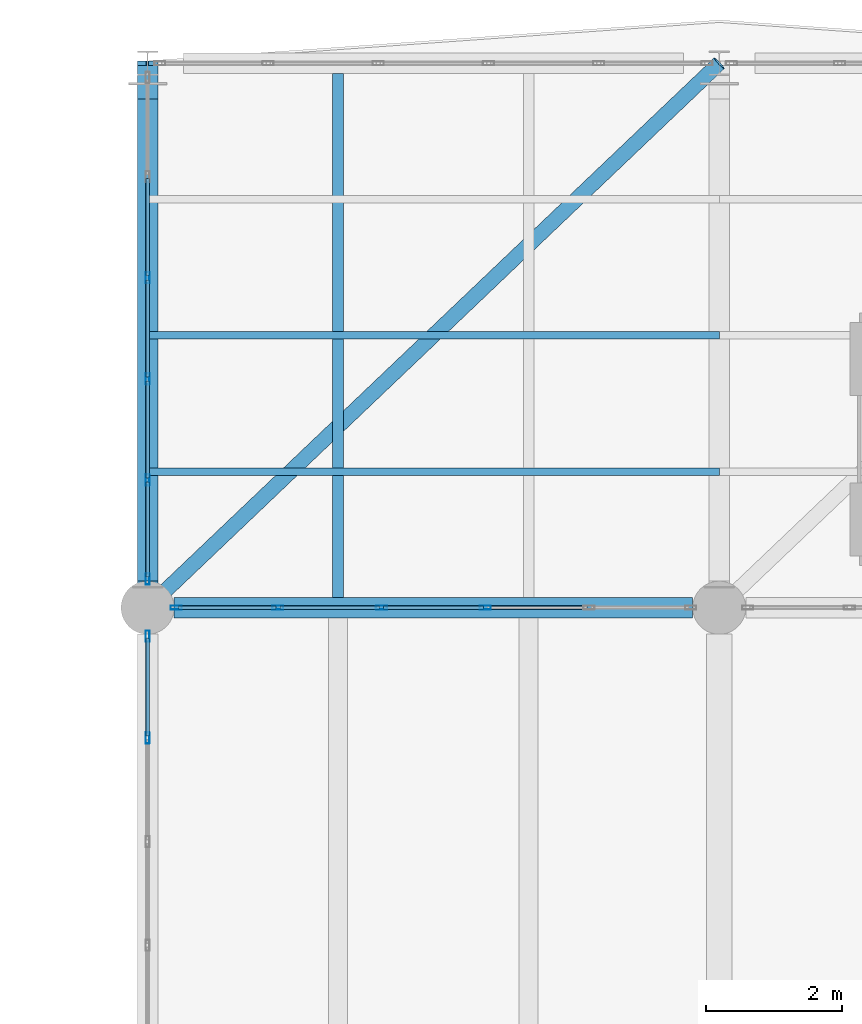
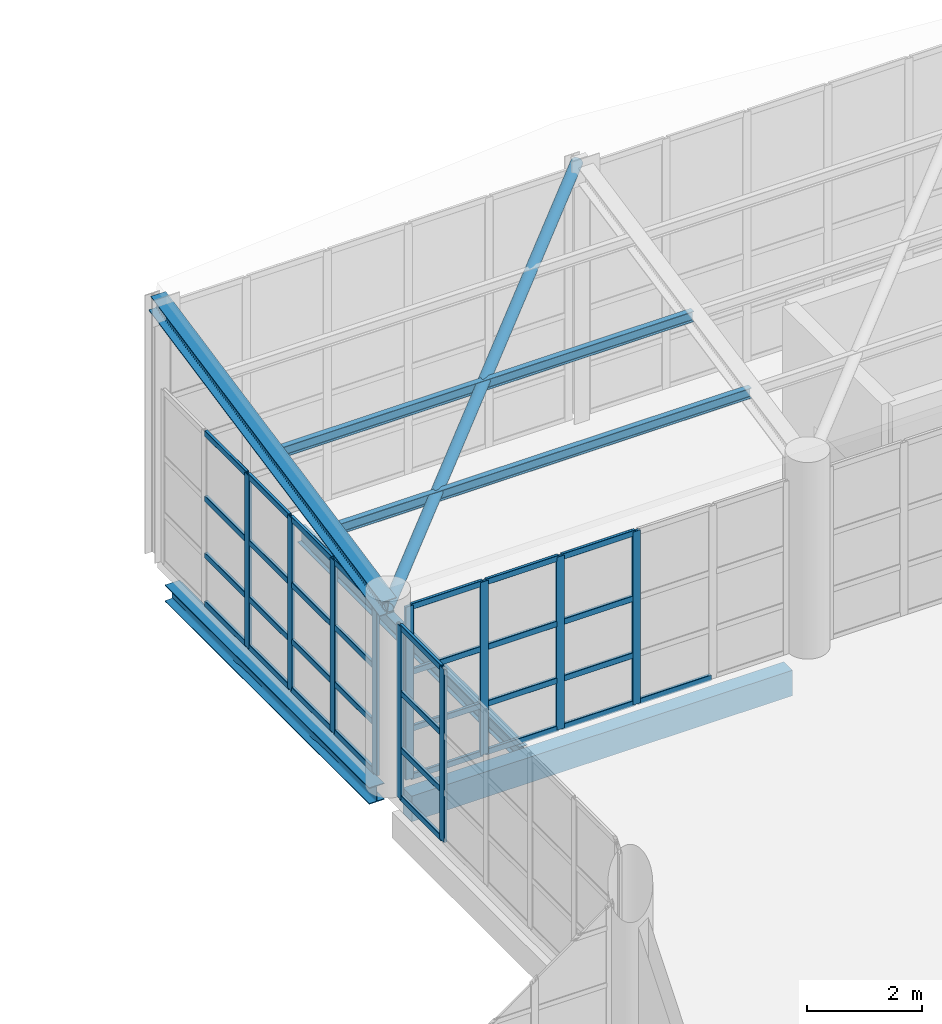
# One storey, part 81 of 177: 47 members, 3 beams, 3 elements without a shape of their own.
"""IFC4 building model written with IfcOpenShell, lengths in metres."""

from ifc_helpers import new_model, si_unit, direction, frame, origin, origin_2d, place, context, subcontext, project, spatial, rectangle, hollow_rectangle, hollow_circle, i_section, extrude, material, layer, layer_set, material_profile, profile_set, type_object, element, aggregate, save


model = new_model("IFC4")

# Units and contexts
model_context = context("Model", 3, precision=1e-05, world=origin(), true_north=direction((0.0, 1.0)))
body_context = subcontext(model_context, "Body", "Model", "MODEL_VIEW")
ifc_project = project(units=[si_unit("LENGTHUNIT", "METRE"), si_unit("AREAUNIT", "SQUARE_METRE"), si_unit("VOLUMEUNIT", "CUBIC_METRE"), si_unit("PLANEANGLEUNIT", "RADIAN"), si_unit("MASSUNIT", "GRAM", prefix="KILO"), si_unit("THERMODYNAMICTEMPERATUREUNIT", "KELVIN"), si_unit("POWERUNIT", "WATT")], contexts=[model_context])

# Site, building, storey
site_placement = place(None, origin())
site = spatial("IfcSite", under=ifc_project, at=site_placement, CompositionType="ELEMENT")
building_placement = place(site_placement, origin())
building = spatial("IfcBuilding", under=site, at=building_placement, Name="Mavoryth Pier Ferry Terminal", CompositionType="ELEMENT")
storey_placement = place(building_placement, frame((0.0, 0.0, 5.43994140625)))
storey = spatial("IfcBuildingStorey", under=building, at=storey_placement, Name="L01", CompositionType="ELEMENT", Elevation=5.43994140625)

# Member
ifc_material_1 = material(Name="Steel S355J2", Category="steel")
ifc_material_profile_1 = material_profile(ifc_material_1, hollow_circle(Radius=0.109619140625, WallThickness=0.010009765625, at=origin_2d()), Name="CHS 219.1x10.0", Category="steel")
ifc_profile_set_1 = profile_set([ifc_material_profile_1], Name="Steel S355J2 - CHS 219.1x10.0")
member_type_1 = type_object("IfcMemberType", Name="Brace-Diag-CHS219", PredefinedType="BRACE", material=ifc_profile_set_1)
member_1_placement = place(storey_placement, frame((50.39990234375, 106.0, 3.771240234375), z_axis=(0.717118778547, 0.682958355435, 0.138955180532), x_axis=(-0.689648865971, 0.724143937118, 0.0)))
element("IfcMember", 1, at=member_1_placement, inside=storey, type_object=member_type_1, Name="Steel Member MB-L01-0253", PredefinedType="BRACE", context=body_context, shape_type="SweptSolid", body=[
    extrude(hollow_circle(Radius=0.109619140625, WallThickness=0.010009765625, at=origin_2d()), origin(), (0.0, 0.0, 1.0), 11.713623046875),
])

# Beam
ifc_material_profile_2 = material_profile(ifc_material_1, i_section(OverallWidth=0.159912109375, OverallDepth=0.330078125, WebThickness=0.007568359375, FlangeThickness=0.011474609375, FilletRadius=0.01806640625, at=origin_2d()), Name="IPE 330", Category="steel")
ifc_profile_set_2 = profile_set([ifc_material_profile_2], Name="Steel S355J2 - IPE 330")
beam_type_1 = type_object("IfcBeamType", Name="Joist-Steel-IPE330", PredefinedType="JOIST", material=ifc_profile_set_2)
beam_1_placement = place(storey_placement, frame((53.199951171875, 106.14990234375, -0.405029296875), z_axis=(0.0, 1.0, 0.0), x_axis=(-1.0, 0.0, 0.0)))
element("IfcBeam", 2, at=beam_1_placement, inside=storey, type_object=beam_type_1, Name="Beam B01-SJ03-0291", PredefinedType="JOIST", context=body_context, shape_type="SweptSolid", body=[
    extrude(i_section(OverallWidth=0.159912109375, OverallDepth=0.330078125, WebThickness=0.007568359375, FlangeThickness=0.011474609375, FilletRadius=0.01806640625, at=origin_2d()), origin(), (0.0, 0.0, 1.0), 7.7001953125),
])

# Curtain wall, members
ifc_material_2 = material(Name="Anodised Aluminium and Solar-Control Low-E Glass", Category="aluminium")
ifc_layer_1 = layer(ifc_material_2, 0.159912109375, Name="Anodised Aluminium and Solar-Control Low-E Glass", Category="aluminium")
ifc_layer_set_1 = layer_set([ifc_layer_1], Name="Anodised Aluminium and Solar-Control Low-E Glass - CW-Arrivals-Mod1400")
curtain_wall_type_1 = type_object("IfcCurtainWallType", Name="CW-Arrivals-Mod1400", PredefinedType="USERDEFINED", material=ifc_layer_set_1)
curtain_wall_1_placement = place(storey_placement, origin())
curtain_wall_1 = element("IfcCurtainWall", 3, at=curtain_wall_1_placement, inside=storey, type_object=curtain_wall_type_1, Name="Curtain Wall CW-0122-050", ObjectType="UNITISED CURTAIN WALL", PredefinedType="USERDEFINED")
ifc_material_3 = material(Name="Anodised Aluminium EN AW-6063", Category="aluminium")
ifc_material_profile_3 = material_profile(ifc_material_3, hollow_rectangle(XDim=0.06005859375, YDim=0.1650390625, WallThickness=0.00390625, InnerFilletRadius=0.00390625, OuterFilletRadius=0.008056640625, at=origin_2d()), Name="AL-MULL 165x60x4", Category="aluminium")
ifc_profile_set_3 = profile_set([ifc_material_profile_3], Name="Anodised Aluminium EN AW-6063 - AL-MULL 165x60x4")
member_type_2 = type_object("IfcMemberType", Name="Mullion-Alum-165x60", PredefinedType="MULLION", material=ifc_profile_set_3)
member_2_placement = place(storey_placement, frame((55.362060546875, 106.0, 0.0), z_axis=(0.0, 0.0, 1.0), x_axis=(0.0, -1.0, 0.0)))
member_2 = element("IfcMember", 4, at=member_2_placement, type_object=member_type_2, Name="CW04 mullion 3", PredefinedType="MULLION", context=body_context, shape_type="SweptSolid", body=[
    extrude(hollow_rectangle(XDim=0.06005859375, YDim=0.1650390625, WallThickness=0.00390625, InnerFilletRadius=0.00390625, OuterFilletRadius=0.008056640625, at=origin_2d()), origin(), (0.0, 0.0, 1.0), 3.66015625),
])
member_3_placement = place(storey_placement, frame((53.837890625, 106.0, 0.0), z_axis=(0.0, 0.0, 1.0), x_axis=(0.0, -1.0, 0.0)))
member_3 = element("IfcMember", 5, at=member_3_placement, type_object=member_type_2, Name="CW04 mullion 4", PredefinedType="MULLION", context=body_context, shape_type="SweptSolid", body=[
    extrude(hollow_rectangle(XDim=0.06005859375, YDim=0.1650390625, WallThickness=0.00390625, InnerFilletRadius=0.00390625, OuterFilletRadius=0.008056640625, at=origin_2d()), origin(), (0.0, 0.0, 1.0), 3.66015625),
])
member_4_placement = place(storey_placement, frame((52.31396484375, 106.0, 0.0), z_axis=(0.0, 0.0, 1.0), x_axis=(0.0, -1.0, 0.0)))
member_4 = element("IfcMember", 6, at=member_4_placement, type_object=member_type_2, Name="CW04 mullion 5", PredefinedType="MULLION", context=body_context, shape_type="SweptSolid", body=[
    extrude(hollow_rectangle(XDim=0.06005859375, YDim=0.1650390625, WallThickness=0.00390625, InnerFilletRadius=0.00390625, OuterFilletRadius=0.008056640625, at=origin_2d()), origin(), (0.0, 0.0, 1.0), 3.66015625),
])
member_5_placement = place(storey_placement, frame((50.820068359375, 106.0, 0.0), z_axis=(0.0, 0.0, 1.0), x_axis=(0.0, -1.0, 0.0)))
member_5 = element("IfcMember", 7, at=member_5_placement, type_object=member_type_2, Name="CW04 mullion 6", PredefinedType="MULLION", context=body_context, shape_type="SweptSolid", body=[
    extrude(hollow_rectangle(XDim=0.06005859375, YDim=0.1650390625, WallThickness=0.00390625, InnerFilletRadius=0.00390625, OuterFilletRadius=0.008056640625, at=origin_2d()), origin(), (0.0, 0.0, 1.0), 3.66015625),
])

curtain_wall_2_placement = place(storey_placement, origin())
curtain_wall_2 = element("IfcCurtainWall", 8, at=curtain_wall_2_placement, inside=storey, type_object=curtain_wall_type_1, Name="Curtain Wall CW-0122-069", ObjectType="UNITISED CURTAIN WALL", PredefinedType="USERDEFINED")
member_6_placement = place(storey_placement, frame((50.39990234375, 105.580078125, 0.0), z_axis=(0.0, 0.0, 1.0), x_axis=(1.0, 0.0, 0.0)))
member_6 = element("IfcMember", 9, at=member_6_placement, type_object=member_type_2, Name="CW04 mullion 1", PredefinedType="MULLION", context=body_context, shape_type="SweptSolid", body=[
    extrude(hollow_rectangle(XDim=0.06005859375, YDim=0.1650390625, WallThickness=0.00390625, InnerFilletRadius=0.00390625, OuterFilletRadius=0.008056640625, at=origin_2d()), origin(), (0.0, 0.0, 1.0), 3.66015625),
])
member_7_placement = place(storey_placement, frame((50.39990234375, 104.0859375, 0.0), z_axis=(0.0, 0.0, 1.0), x_axis=(1.0, 0.0, 0.0)))
member_7 = element("IfcMember", 10, at=member_7_placement, type_object=member_type_2, Name="CW04 mullion 2", PredefinedType="MULLION", context=body_context, shape_type="SweptSolid", body=[
    extrude(hollow_rectangle(XDim=0.06005859375, YDim=0.1650390625, WallThickness=0.00390625, InnerFilletRadius=0.00390625, OuterFilletRadius=0.008056640625, at=origin_2d()), origin(), (0.0, 0.0, 1.0), 3.66015625),
])

ifc_layer_2 = layer(ifc_material_2, 0.139892578125, Name="Anodised Aluminium and Solar-Control Low-E Glass", Category="aluminium")
ifc_layer_set_2 = layer_set([ifc_layer_2], Name="Anodised Aluminium and Solar-Control Low-E Glass - CW-Gallery-Mod1600")
curtain_wall_type_2 = type_object("IfcCurtainWallType", Name="CW-Gallery-Mod1600", PredefinedType="USERDEFINED", material=ifc_layer_set_2)
curtain_wall_3_placement = place(storey_placement, origin())
curtain_wall_3 = element("IfcCurtainWall", 11, at=curtain_wall_3_placement, inside=storey, type_object=curtain_wall_type_2, Name="Curtain Wall CW-0122-096", ObjectType="UNITISED CURTAIN WALL", PredefinedType="USERDEFINED")
member_8_placement = place(storey_placement, frame((50.39990234375, 110.847900390625, 0.0), z_axis=(0.0, 0.0, 1.0), x_axis=(1.0, 0.0, 0.0)))
member_8 = element("IfcMember", 12, at=member_8_placement, type_object=member_type_2, Name="CW05 mullion 3", PredefinedType="MULLION", context=body_context, shape_type="SweptSolid", body=[
    extrude(hollow_rectangle(XDim=0.06005859375, YDim=0.1650390625, WallThickness=0.00390625, InnerFilletRadius=0.00390625, OuterFilletRadius=0.008056640625, at=origin_2d()), origin(), (0.0, 0.0, 1.0), 3.66015625),
])
member_9_placement = place(storey_placement, frame((50.39990234375, 109.362060546875, 0.0), z_axis=(0.0, 0.0, 1.0), x_axis=(1.0, 0.0, 0.0)))
member_9 = element("IfcMember", 13, at=member_9_placement, type_object=member_type_2, Name="CW05 mullion 4", PredefinedType="MULLION", context=body_context, shape_type="SweptSolid", body=[
    extrude(hollow_rectangle(XDim=0.06005859375, YDim=0.1650390625, WallThickness=0.00390625, InnerFilletRadius=0.00390625, OuterFilletRadius=0.008056640625, at=origin_2d()), origin(), (0.0, 0.0, 1.0), 3.66015625),
])
member_10_placement = place(storey_placement, frame((50.39990234375, 107.8759765625, 0.0), z_axis=(0.0, 0.0, 1.0), x_axis=(1.0, 0.0, 0.0)))
member_10 = element("IfcMember", 14, at=member_10_placement, type_object=member_type_2, Name="CW05 mullion 5", PredefinedType="MULLION", context=body_context, shape_type="SweptSolid", body=[
    extrude(hollow_rectangle(XDim=0.06005859375, YDim=0.1650390625, WallThickness=0.00390625, InnerFilletRadius=0.00390625, OuterFilletRadius=0.008056640625, at=origin_2d()), origin(), (0.0, 0.0, 1.0), 3.66015625),
])
member_11_placement = place(storey_placement, frame((50.39990234375, 106.419921875, 0.0), z_axis=(0.0, 0.0, 1.0), x_axis=(1.0, 0.0, 0.0)))
member_11 = element("IfcMember", 15, at=member_11_placement, type_object=member_type_2, Name="CW05 mullion 6", PredefinedType="MULLION", context=body_context, shape_type="SweptSolid", body=[
    extrude(hollow_rectangle(XDim=0.06005859375, YDim=0.1650390625, WallThickness=0.00390625, InnerFilletRadius=0.00390625, OuterFilletRadius=0.008056640625, at=origin_2d()), origin(), (0.0, 0.0, 1.0), 3.66015625),
])

# Members
ifc_material_profile_4 = material_profile(ifc_material_1, i_section(OverallWidth=0.110107421875, OverallDepth=0.219970703125, WebThickness=0.005859375, FlangeThickness=0.00927734375, FilletRadius=0.011962890625, at=origin_2d()), Name="IPE 220", Category="steel")
ifc_profile_set_4 = profile_set([ifc_material_profile_4], Name="Steel S355J2 - IPE 220")
member_type_3 = type_object("IfcMemberType", Name="Purlin-Roof-IPE220", PredefinedType="PURLIN", material=ifc_profile_set_4)
for number, where, z_axis, x_axis, name in (
    (16, (50.39990234375, 108.0, 4.17822265625), (1.0, 0.0, 0.0), (0.0, 1.0, 0.0), "Steel Member MB-L01-0250"),
    (17, (50.39990234375, 110.0, 4.5849609375), (1.0, 0.0, 0.0), (0.0, 1.0, 0.0), "Steel Member MB-L01-0251"),
):
    element("IfcMember", number, at=place(storey_placement, frame(where, z_axis=z_axis, x_axis=x_axis)), inside=storey, type_object=member_type_3, Name=name, PredefinedType="PURLIN", context=body_context, shape_type="SweptSolid", body=[
        extrude(i_section(OverallWidth=0.110107421875, OverallDepth=0.219970703125, WebThickness=0.005859375, FlangeThickness=0.00927734375, FilletRadius=0.011962890625, at=origin_2d()), origin(), (0.0, 0.0, 1.0), 8.400146484375),
    ])
ifc_material_profile_5 = material_profile(ifc_material_1, i_section(OverallWidth=0.300048828125, OverallDepth=0.35009765625, WebThickness=0.010009765625, FlangeThickness=0.017578125, FilletRadius=0.027099609375, at=origin_2d()), Name="HEA 360", Category="steel")
ifc_profile_set_5 = profile_set([ifc_material_profile_5], Name="Steel S355J2 - HEA 360")
member_type_4 = type_object("IfcMemberType", Name="Rafter-Gallery-HEA360", PredefinedType="RAFTER", material=ifc_profile_set_5)
member_12_placement = place(storey_placement, frame((50.39990234375, 106.0, 3.771240234375), z_axis=(0.0, 0.979923097627, 0.199375832882), x_axis=(-1.0, 0.0, 0.0)))
element("IfcMember", 18, at=member_12_placement, inside=storey, type_object=member_type_4, Name="Steel Member MB-L01-0237", PredefinedType="RAFTER", context=body_context, shape_type="SweptSolid", body=[
    extrude(i_section(OverallWidth=0.300048828125, OverallDepth=0.35009765625, WebThickness=0.010009765625, FlangeThickness=0.017578125, FilletRadius=0.027099609375, at=origin_2d()), origin(), (0.0, 0.0, 1.0), 8.163818359375),
])

# Beams
ifc_material_4 = material(Name="Concrete C35/45", Category="concrete")
ifc_material_profile_6 = material_profile(ifc_material_4, rectangle(XDim=0.300048828125, YDim=0.5400390625, at=origin_2d()), Name="RC 300x540", Category="concrete")
ifc_profile_set_6 = profile_set([ifc_material_profile_6], Name="Concrete C35/45 - RC 300x540")
beam_type_2 = type_object("IfcBeamType", Name="Spandrel-RC-300x540", PredefinedType="SPANDREL", material=ifc_profile_set_6)
beam_2_placement = place(storey_placement, frame((50.7900390625, 106.0, -0.550048828125), z_axis=(1.0, 0.0, 0.0), x_axis=(0.0, 1.0, 0.0)))
element("IfcBeam", 19, at=beam_2_placement, inside=storey, type_object=beam_type_2, Name="Beam B01-SP02-0199", PredefinedType="SPANDREL", context=body_context, shape_type="SweptSolid", body=[
    extrude(rectangle(XDim=0.300048828125, YDim=0.5400390625, at=origin_2d()), origin(), (0.0, 0.0, 1.0), 7.619873046875),
])
ifc_material_profile_7 = material_profile(ifc_material_1, i_section(OverallWidth=0.300048828125, OverallDepth=0.35009765625, WebThickness=0.010009765625, FlangeThickness=0.017578125, FilletRadius=0.027099609375, at=origin_2d()), Name="HEA 360", Category="steel")
ifc_profile_set_7 = profile_set([ifc_material_profile_7], Name="Steel S355J2 - HEA 360")
beam_type_3 = type_object("IfcBeamType", Name="Spandrel-Steel-HEA360", PredefinedType="SPANDREL", material=ifc_profile_set_7)
beam_3_placement = place(storey_placement, frame((50.39990234375, 106.389892578125, -0.4150390625), z_axis=(0.0, 1.0, 0.0), x_axis=(-1.0, 0.0, 0.0)))
element("IfcBeam", 20, at=beam_3_placement, inside=storey, type_object=beam_type_3, Name="Beam B01-SP03-0278", PredefinedType="SPANDREL", context=body_context, shape_type="SweptSolid", body=[
    extrude(i_section(OverallWidth=0.300048828125, OverallDepth=0.35009765625, WebThickness=0.010009765625, FlangeThickness=0.017578125, FilletRadius=0.027099609375, at=origin_2d()), origin(), (0.0, 0.0, 1.0), 7.085205078125),
])

# Member
ifc_material_profile_8 = material_profile(ifc_material_3, hollow_rectangle(XDim=0.06005859375, YDim=0.125, WallThickness=0.00390625, InnerFilletRadius=0.00390625, OuterFilletRadius=0.008056640625, at=origin_2d()), Name="AL-TRAN 125x60x4", Category="aluminium")
ifc_profile_set_8 = profile_set([ifc_material_profile_8], Name="Anodised Aluminium EN AW-6063 - AL-TRAN 125x60x4")
member_type_5 = type_object("IfcMemberType", Name="Transom-Alum-125x60", PredefinedType="USERDEFINED", material=ifc_profile_set_8)
member_13_placement = place(storey_placement, frame((56.85595703125, 106.0, 0.030029296875), z_axis=(-1.0, 0.0, 0.0), x_axis=(0.0, -1.0, 0.0)))
member_13 = element("IfcMember", 21, at=member_13_placement, type_object=member_type_5, Name="CW04 transom 2.1", ObjectType="TRANSOM", PredefinedType="USERDEFINED", context=body_context, shape_type="SweptSolid", body=[
    extrude(hollow_rectangle(XDim=0.06005859375, YDim=0.125, WallThickness=0.00390625, InnerFilletRadius=0.00390625, OuterFilletRadius=0.008056640625, at=origin_2d()), origin(), (0.0, 0.0, 1.0), 1.4638671875),
])

member_14_placement = place(storey_placement, frame((55.33203125, 106.0, 0.030029296875), z_axis=(-1.0, 0.0, 0.0), x_axis=(0.0, -1.0, 0.0)))
member_14 = element("IfcMember", 22, at=member_14_placement, type_object=member_type_5, Name="CW04 transom 3.1", ObjectType="TRANSOM", PredefinedType="USERDEFINED", context=body_context, shape_type="SweptSolid", body=[
    extrude(hollow_rectangle(XDim=0.06005859375, YDim=0.125, WallThickness=0.00390625, InnerFilletRadius=0.00390625, OuterFilletRadius=0.008056640625, at=origin_2d()), origin(), (0.0, 0.0, 1.0), 1.464111328125),
])

member_15_placement = place(storey_placement, frame((55.33203125, 106.0, 1.050048828125), z_axis=(-1.0, 0.0, 0.0), x_axis=(0.0, -1.0, 0.0)))
member_15 = element("IfcMember", 23, at=member_15_placement, type_object=member_type_5, Name="CW04 transom 3.2", ObjectType="TRANSOM", PredefinedType="USERDEFINED", context=body_context, shape_type="SweptSolid", body=[
    extrude(hollow_rectangle(XDim=0.06005859375, YDim=0.125, WallThickness=0.00390625, InnerFilletRadius=0.00390625, OuterFilletRadius=0.008056640625, at=origin_2d()), origin(), (0.0, 0.0, 1.0), 1.464111328125),
])

member_16_placement = place(storey_placement, frame((55.33203125, 106.0, 2.25), z_axis=(-1.0, 0.0, 0.0), x_axis=(0.0, -1.0, 0.0)))
member_16 = element("IfcMember", 24, at=member_16_placement, type_object=member_type_5, Name="CW04 transom 3.3", ObjectType="TRANSOM", PredefinedType="USERDEFINED", context=body_context, shape_type="SweptSolid", body=[
    extrude(hollow_rectangle(XDim=0.06005859375, YDim=0.125, WallThickness=0.00390625, InnerFilletRadius=0.00390625, OuterFilletRadius=0.008056640625, at=origin_2d()), origin(), (0.0, 0.0, 1.0), 1.464111328125),
])

member_17_placement = place(storey_placement, frame((55.33203125, 106.0, 3.630126953125), z_axis=(-1.0, 0.0, 0.0), x_axis=(0.0, -1.0, 0.0)))
member_17 = element("IfcMember", 25, at=member_17_placement, type_object=member_type_5, Name="CW04 transom 3.4", ObjectType="TRANSOM", PredefinedType="USERDEFINED", context=body_context, shape_type="SweptSolid", body=[
    extrude(hollow_rectangle(XDim=0.06005859375, YDim=0.125, WallThickness=0.00390625, InnerFilletRadius=0.00390625, OuterFilletRadius=0.008056640625, at=origin_2d()), origin(), (0.0, 0.0, 1.0), 1.464111328125),
])

member_18_placement = place(storey_placement, frame((53.80810546875, 106.0, 0.030029296875), z_axis=(-1.0, 0.0, 0.0), x_axis=(0.0, -1.0, 0.0)))
member_18 = element("IfcMember", 26, at=member_18_placement, type_object=member_type_5, Name="CW04 transom 4.1", ObjectType="TRANSOM", PredefinedType="USERDEFINED", context=body_context, shape_type="SweptSolid", body=[
    extrude(hollow_rectangle(XDim=0.06005859375, YDim=0.125, WallThickness=0.00390625, InnerFilletRadius=0.00390625, OuterFilletRadius=0.008056640625, at=origin_2d()), origin(), (0.0, 0.0, 1.0), 1.464111328125),
])

member_19_placement = place(storey_placement, frame((53.80810546875, 106.0, 1.050048828125), z_axis=(-1.0, 0.0, 0.0), x_axis=(0.0, -1.0, 0.0)))
member_19 = element("IfcMember", 27, at=member_19_placement, type_object=member_type_5, Name="CW04 transom 4.2", ObjectType="TRANSOM", PredefinedType="USERDEFINED", context=body_context, shape_type="SweptSolid", body=[
    extrude(hollow_rectangle(XDim=0.06005859375, YDim=0.125, WallThickness=0.00390625, InnerFilletRadius=0.00390625, OuterFilletRadius=0.008056640625, at=origin_2d()), origin(), (0.0, 0.0, 1.0), 1.464111328125),
])

member_20_placement = place(storey_placement, frame((53.80810546875, 106.0, 2.25), z_axis=(-1.0, 0.0, 0.0), x_axis=(0.0, -1.0, 0.0)))
member_20 = element("IfcMember", 28, at=member_20_placement, type_object=member_type_5, Name="CW04 transom 4.3", ObjectType="TRANSOM", PredefinedType="USERDEFINED", context=body_context, shape_type="SweptSolid", body=[
    extrude(hollow_rectangle(XDim=0.06005859375, YDim=0.125, WallThickness=0.00390625, InnerFilletRadius=0.00390625, OuterFilletRadius=0.008056640625, at=origin_2d()), origin(), (0.0, 0.0, 1.0), 1.464111328125),
])

member_21_placement = place(storey_placement, frame((53.80810546875, 106.0, 3.630126953125), z_axis=(-1.0, 0.0, 0.0), x_axis=(0.0, -1.0, 0.0)))
member_21 = element("IfcMember", 29, at=member_21_placement, type_object=member_type_5, Name="CW04 transom 4.4", ObjectType="TRANSOM", PredefinedType="USERDEFINED", context=body_context, shape_type="SweptSolid", body=[
    extrude(hollow_rectangle(XDim=0.06005859375, YDim=0.125, WallThickness=0.00390625, InnerFilletRadius=0.00390625, OuterFilletRadius=0.008056640625, at=origin_2d()), origin(), (0.0, 0.0, 1.0), 1.464111328125),
])

member_22_placement = place(storey_placement, frame((52.283935546875, 106.0, 0.030029296875), z_axis=(-1.0, 0.0, 0.0), x_axis=(0.0, -1.0, 0.0)))
member_22 = element("IfcMember", 30, at=member_22_placement, type_object=member_type_5, Name="CW04 transom 5.1", ObjectType="TRANSOM", PredefinedType="USERDEFINED", context=body_context, shape_type="SweptSolid", body=[
    extrude(hollow_rectangle(XDim=0.06005859375, YDim=0.125, WallThickness=0.00390625, InnerFilletRadius=0.00390625, OuterFilletRadius=0.008056640625, at=origin_2d()), origin(), (0.0, 0.0, 1.0), 1.433837890625),
])

member_23_placement = place(storey_placement, frame((52.283935546875, 106.0, 1.050048828125), z_axis=(-1.0, 0.0, 0.0), x_axis=(0.0, -1.0, 0.0)))
member_23 = element("IfcMember", 31, at=member_23_placement, type_object=member_type_5, Name="CW04 transom 5.2", ObjectType="TRANSOM", PredefinedType="USERDEFINED", context=body_context, shape_type="SweptSolid", body=[
    extrude(hollow_rectangle(XDim=0.06005859375, YDim=0.125, WallThickness=0.00390625, InnerFilletRadius=0.00390625, OuterFilletRadius=0.008056640625, at=origin_2d()), origin(), (0.0, 0.0, 1.0), 1.433837890625),
])

member_24_placement = place(storey_placement, frame((52.283935546875, 106.0, 2.25), z_axis=(-1.0, 0.0, 0.0), x_axis=(0.0, -1.0, 0.0)))
member_24 = element("IfcMember", 32, at=member_24_placement, type_object=member_type_5, Name="CW04 transom 5.3", ObjectType="TRANSOM", PredefinedType="USERDEFINED", context=body_context, shape_type="SweptSolid", body=[
    extrude(hollow_rectangle(XDim=0.06005859375, YDim=0.125, WallThickness=0.00390625, InnerFilletRadius=0.00390625, OuterFilletRadius=0.008056640625, at=origin_2d()), origin(), (0.0, 0.0, 1.0), 1.433837890625),
])

member_25_placement = place(storey_placement, frame((52.283935546875, 106.0, 3.630126953125), z_axis=(-1.0, 0.0, 0.0), x_axis=(0.0, -1.0, 0.0)))
member_25 = element("IfcMember", 33, at=member_25_placement, type_object=member_type_5, Name="CW04 transom 5.4", ObjectType="TRANSOM", PredefinedType="USERDEFINED", context=body_context, shape_type="SweptSolid", body=[
    extrude(hollow_rectangle(XDim=0.06005859375, YDim=0.125, WallThickness=0.00390625, InnerFilletRadius=0.00390625, OuterFilletRadius=0.008056640625, at=origin_2d()), origin(), (0.0, 0.0, 1.0), 1.433837890625),
])

aggregate(curtain_wall_1, [member_2, member_3, member_4, member_5, member_13, member_14, member_15, member_16, member_17, member_18, member_19, member_20, member_21, member_22, member_23, member_24, member_25])

member_26_placement = place(storey_placement, frame((50.39990234375, 105.550048828125, 0.030029296875), z_axis=(0.0, -1.0, 0.0), x_axis=(1.0, 0.0, 0.0)))
member_26 = element("IfcMember", 34, at=member_26_placement, type_object=member_type_5, Name="CW04 transom 1.1", ObjectType="TRANSOM", PredefinedType="USERDEFINED", context=body_context, shape_type="SweptSolid", body=[
    extrude(hollow_rectangle(XDim=0.06005859375, YDim=0.125, WallThickness=0.00390625, InnerFilletRadius=0.00390625, OuterFilletRadius=0.008056640625, at=origin_2d()), origin(), (0.0, 0.0, 1.0), 1.43408203125),
])

member_27_placement = place(storey_placement, frame((50.39990234375, 105.550048828125, 1.050048828125), z_axis=(0.0, -1.0, 0.0), x_axis=(1.0, 0.0, 0.0)))
member_27 = element("IfcMember", 35, at=member_27_placement, type_object=member_type_5, Name="CW04 transom 1.2", ObjectType="TRANSOM", PredefinedType="USERDEFINED", context=body_context, shape_type="SweptSolid", body=[
    extrude(hollow_rectangle(XDim=0.06005859375, YDim=0.125, WallThickness=0.00390625, InnerFilletRadius=0.00390625, OuterFilletRadius=0.008056640625, at=origin_2d()), origin(), (0.0, 0.0, 1.0), 1.43408203125),
])

member_28_placement = place(storey_placement, frame((50.39990234375, 105.550048828125, 2.25), z_axis=(0.0, -1.0, 0.0), x_axis=(1.0, 0.0, 0.0)))
member_28 = element("IfcMember", 36, at=member_28_placement, type_object=member_type_5, Name="CW04 transom 1.3", ObjectType="TRANSOM", PredefinedType="USERDEFINED", context=body_context, shape_type="SweptSolid", body=[
    extrude(hollow_rectangle(XDim=0.06005859375, YDim=0.125, WallThickness=0.00390625, InnerFilletRadius=0.00390625, OuterFilletRadius=0.008056640625, at=origin_2d()), origin(), (0.0, 0.0, 1.0), 1.43408203125),
])

member_29_placement = place(storey_placement, frame((50.39990234375, 105.550048828125, 3.630126953125), z_axis=(0.0, -1.0, 0.0), x_axis=(1.0, 0.0, 0.0)))
member_29 = element("IfcMember", 37, at=member_29_placement, type_object=member_type_5, Name="CW04 transom 1.4", ObjectType="TRANSOM", PredefinedType="USERDEFINED", context=body_context, shape_type="SweptSolid", body=[
    extrude(hollow_rectangle(XDim=0.06005859375, YDim=0.125, WallThickness=0.00390625, InnerFilletRadius=0.00390625, OuterFilletRadius=0.008056640625, at=origin_2d()), origin(), (0.0, 0.0, 1.0), 1.43408203125),
])

aggregate(curtain_wall_2, [member_6, member_7, member_26, member_27, member_28, member_29])

member_30_placement = place(storey_placement, frame((50.39990234375, 112.303955078125, 0.030029296875), z_axis=(0.0, -1.0, 0.0), x_axis=(1.0, 0.0, 0.0)))
member_30 = element("IfcMember", 38, at=member_30_placement, type_object=member_type_5, Name="CW05 transom 2.1", ObjectType="TRANSOM", PredefinedType="USERDEFINED", context=body_context, shape_type="SweptSolid", body=[
    extrude(hollow_rectangle(XDim=0.06005859375, YDim=0.125, WallThickness=0.00390625, InnerFilletRadius=0.00390625, OuterFilletRadius=0.008056640625, at=origin_2d()), origin(), (0.0, 0.0, 1.0), 1.426025390625),
])

member_31_placement = place(storey_placement, frame((50.39990234375, 112.303955078125, 1.050048828125), z_axis=(0.0, -1.0, 0.0), x_axis=(1.0, 0.0, 0.0)))
member_31 = element("IfcMember", 39, at=member_31_placement, type_object=member_type_5, Name="CW05 transom 2.2", ObjectType="TRANSOM", PredefinedType="USERDEFINED", context=body_context, shape_type="SweptSolid", body=[
    extrude(hollow_rectangle(XDim=0.06005859375, YDim=0.125, WallThickness=0.00390625, InnerFilletRadius=0.00390625, OuterFilletRadius=0.008056640625, at=origin_2d()), origin(), (0.0, 0.0, 1.0), 1.426025390625),
])

member_32_placement = place(storey_placement, frame((50.39990234375, 112.303955078125, 2.25), z_axis=(0.0, -1.0, 0.0), x_axis=(1.0, 0.0, 0.0)))
member_32 = element("IfcMember", 40, at=member_32_placement, type_object=member_type_5, Name="CW05 transom 2.3", ObjectType="TRANSOM", PredefinedType="USERDEFINED", context=body_context, shape_type="SweptSolid", body=[
    extrude(hollow_rectangle(XDim=0.06005859375, YDim=0.125, WallThickness=0.00390625, InnerFilletRadius=0.00390625, OuterFilletRadius=0.008056640625, at=origin_2d()), origin(), (0.0, 0.0, 1.0), 1.426025390625),
])

member_33_placement = place(storey_placement, frame((50.39990234375, 112.303955078125, 3.630126953125), z_axis=(0.0, -1.0, 0.0), x_axis=(1.0, 0.0, 0.0)))
member_33 = element("IfcMember", 41, at=member_33_placement, type_object=member_type_5, Name="CW05 transom 2.4", ObjectType="TRANSOM", PredefinedType="USERDEFINED", context=body_context, shape_type="SweptSolid", body=[
    extrude(hollow_rectangle(XDim=0.06005859375, YDim=0.125, WallThickness=0.00390625, InnerFilletRadius=0.00390625, OuterFilletRadius=0.008056640625, at=origin_2d()), origin(), (0.0, 0.0, 1.0), 1.426025390625),
])

member_34_placement = place(storey_placement, frame((50.39990234375, 110.818115234375, 0.030029296875), z_axis=(0.0, -1.0, 0.0), x_axis=(1.0, 0.0, 0.0)))
member_34 = element("IfcMember", 42, at=member_34_placement, type_object=member_type_5, Name="CW05 transom 3.1", ObjectType="TRANSOM", PredefinedType="USERDEFINED", context=body_context, shape_type="SweptSolid", body=[
    extrude(hollow_rectangle(XDim=0.06005859375, YDim=0.125, WallThickness=0.00390625, InnerFilletRadius=0.00390625, OuterFilletRadius=0.008056640625, at=origin_2d()), origin(), (0.0, 0.0, 1.0), 1.426025390625),
])

member_35_placement = place(storey_placement, frame((50.39990234375, 110.818115234375, 1.050048828125), z_axis=(0.0, -1.0, 0.0), x_axis=(1.0, 0.0, 0.0)))
member_35 = element("IfcMember", 43, at=member_35_placement, type_object=member_type_5, Name="CW05 transom 3.2", ObjectType="TRANSOM", PredefinedType="USERDEFINED", context=body_context, shape_type="SweptSolid", body=[
    extrude(hollow_rectangle(XDim=0.06005859375, YDim=0.125, WallThickness=0.00390625, InnerFilletRadius=0.00390625, OuterFilletRadius=0.008056640625, at=origin_2d()), origin(), (0.0, 0.0, 1.0), 1.426025390625),
])

member_36_placement = place(storey_placement, frame((50.39990234375, 110.818115234375, 2.25), z_axis=(0.0, -1.0, 0.0), x_axis=(1.0, 0.0, 0.0)))
member_36 = element("IfcMember", 44, at=member_36_placement, type_object=member_type_5, Name="CW05 transom 3.3", ObjectType="TRANSOM", PredefinedType="USERDEFINED", context=body_context, shape_type="SweptSolid", body=[
    extrude(hollow_rectangle(XDim=0.06005859375, YDim=0.125, WallThickness=0.00390625, InnerFilletRadius=0.00390625, OuterFilletRadius=0.008056640625, at=origin_2d()), origin(), (0.0, 0.0, 1.0), 1.426025390625),
])

member_37_placement = place(storey_placement, frame((50.39990234375, 110.818115234375, 3.630126953125), z_axis=(0.0, -1.0, 0.0), x_axis=(1.0, 0.0, 0.0)))
member_37 = element("IfcMember", 45, at=member_37_placement, type_object=member_type_5, Name="CW05 transom 3.4", ObjectType="TRANSOM", PredefinedType="USERDEFINED", context=body_context, shape_type="SweptSolid", body=[
    extrude(hollow_rectangle(XDim=0.06005859375, YDim=0.125, WallThickness=0.00390625, InnerFilletRadius=0.00390625, OuterFilletRadius=0.008056640625, at=origin_2d()), origin(), (0.0, 0.0, 1.0), 1.426025390625),
])

member_38_placement = place(storey_placement, frame((50.39990234375, 109.33203125, 0.030029296875), z_axis=(0.0, -1.0, 0.0), x_axis=(1.0, 0.0, 0.0)))
member_38 = element("IfcMember", 46, at=member_38_placement, type_object=member_type_5, Name="CW05 transom 4.1", ObjectType="TRANSOM", PredefinedType="USERDEFINED", context=body_context, shape_type="SweptSolid", body=[
    extrude(hollow_rectangle(XDim=0.06005859375, YDim=0.125, WallThickness=0.00390625, InnerFilletRadius=0.00390625, OuterFilletRadius=0.008056640625, at=origin_2d()), origin(), (0.0, 0.0, 1.0), 1.426025390625),
])

member_39_placement = place(storey_placement, frame((50.39990234375, 109.33203125, 1.050048828125), z_axis=(0.0, -1.0, 0.0), x_axis=(1.0, 0.0, 0.0)))
member_39 = element("IfcMember", 47, at=member_39_placement, type_object=member_type_5, Name="CW05 transom 4.2", ObjectType="TRANSOM", PredefinedType="USERDEFINED", context=body_context, shape_type="SweptSolid", body=[
    extrude(hollow_rectangle(XDim=0.06005859375, YDim=0.125, WallThickness=0.00390625, InnerFilletRadius=0.00390625, OuterFilletRadius=0.008056640625, at=origin_2d()), origin(), (0.0, 0.0, 1.0), 1.426025390625),
])

member_40_placement = place(storey_placement, frame((50.39990234375, 109.33203125, 2.25), z_axis=(0.0, -1.0, 0.0), x_axis=(1.0, 0.0, 0.0)))
member_40 = element("IfcMember", 48, at=member_40_placement, type_object=member_type_5, Name="CW05 transom 4.3", ObjectType="TRANSOM", PredefinedType="USERDEFINED", context=body_context, shape_type="SweptSolid", body=[
    extrude(hollow_rectangle(XDim=0.06005859375, YDim=0.125, WallThickness=0.00390625, InnerFilletRadius=0.00390625, OuterFilletRadius=0.008056640625, at=origin_2d()), origin(), (0.0, 0.0, 1.0), 1.426025390625),
])

member_41_placement = place(storey_placement, frame((50.39990234375, 109.33203125, 3.630126953125), z_axis=(0.0, -1.0, 0.0), x_axis=(1.0, 0.0, 0.0)))
member_41 = element("IfcMember", 49, at=member_41_placement, type_object=member_type_5, Name="CW05 transom 4.4", ObjectType="TRANSOM", PredefinedType="USERDEFINED", context=body_context, shape_type="SweptSolid", body=[
    extrude(hollow_rectangle(XDim=0.06005859375, YDim=0.125, WallThickness=0.00390625, InnerFilletRadius=0.00390625, OuterFilletRadius=0.008056640625, at=origin_2d()), origin(), (0.0, 0.0, 1.0), 1.426025390625),
])

member_42_placement = place(storey_placement, frame((50.39990234375, 107.845947265625, 0.030029296875), z_axis=(0.0, -1.0, 0.0), x_axis=(1.0, 0.0, 0.0)))
member_42 = element("IfcMember", 50, at=member_42_placement, type_object=member_type_5, Name="CW05 transom 5.1", ObjectType="TRANSOM", PredefinedType="USERDEFINED", context=body_context, shape_type="SweptSolid", body=[
    extrude(hollow_rectangle(XDim=0.06005859375, YDim=0.125, WallThickness=0.00390625, InnerFilletRadius=0.00390625, OuterFilletRadius=0.008056640625, at=origin_2d()), origin(), (0.0, 0.0, 1.0), 1.39599609375),
])

member_43_placement = place(storey_placement, frame((50.39990234375, 107.845947265625, 1.050048828125), z_axis=(0.0, -1.0, 0.0), x_axis=(1.0, 0.0, 0.0)))
member_43 = element("IfcMember", 51, at=member_43_placement, type_object=member_type_5, Name="CW05 transom 5.2", ObjectType="TRANSOM", PredefinedType="USERDEFINED", context=body_context, shape_type="SweptSolid", body=[
    extrude(hollow_rectangle(XDim=0.06005859375, YDim=0.125, WallThickness=0.00390625, InnerFilletRadius=0.00390625, OuterFilletRadius=0.008056640625, at=origin_2d()), origin(), (0.0, 0.0, 1.0), 1.39599609375),
])

member_44_placement = place(storey_placement, frame((50.39990234375, 107.845947265625, 2.25), z_axis=(0.0, -1.0, 0.0), x_axis=(1.0, 0.0, 0.0)))
member_44 = element("IfcMember", 52, at=member_44_placement, type_object=member_type_5, Name="CW05 transom 5.3", ObjectType="TRANSOM", PredefinedType="USERDEFINED", context=body_context, shape_type="SweptSolid", body=[
    extrude(hollow_rectangle(XDim=0.06005859375, YDim=0.125, WallThickness=0.00390625, InnerFilletRadius=0.00390625, OuterFilletRadius=0.008056640625, at=origin_2d()), origin(), (0.0, 0.0, 1.0), 1.39599609375),
])

member_45_placement = place(storey_placement, frame((50.39990234375, 107.845947265625, 3.630126953125), z_axis=(0.0, -1.0, 0.0), x_axis=(1.0, 0.0, 0.0)))
member_45 = element("IfcMember", 53, at=member_45_placement, type_object=member_type_5, Name="CW05 transom 5.4", ObjectType="TRANSOM", PredefinedType="USERDEFINED", context=body_context, shape_type="SweptSolid", body=[
    extrude(hollow_rectangle(XDim=0.06005859375, YDim=0.125, WallThickness=0.00390625, InnerFilletRadius=0.00390625, OuterFilletRadius=0.008056640625, at=origin_2d()), origin(), (0.0, 0.0, 1.0), 1.39599609375),
])

aggregate(curtain_wall_3, [member_8, member_9, member_10, member_11, member_30, member_31, member_32, member_33, member_34, member_35, member_36, member_37, member_38, member_39, member_40, member_41, member_42, member_43, member_44, member_45])

save(model, "model.ifc")
